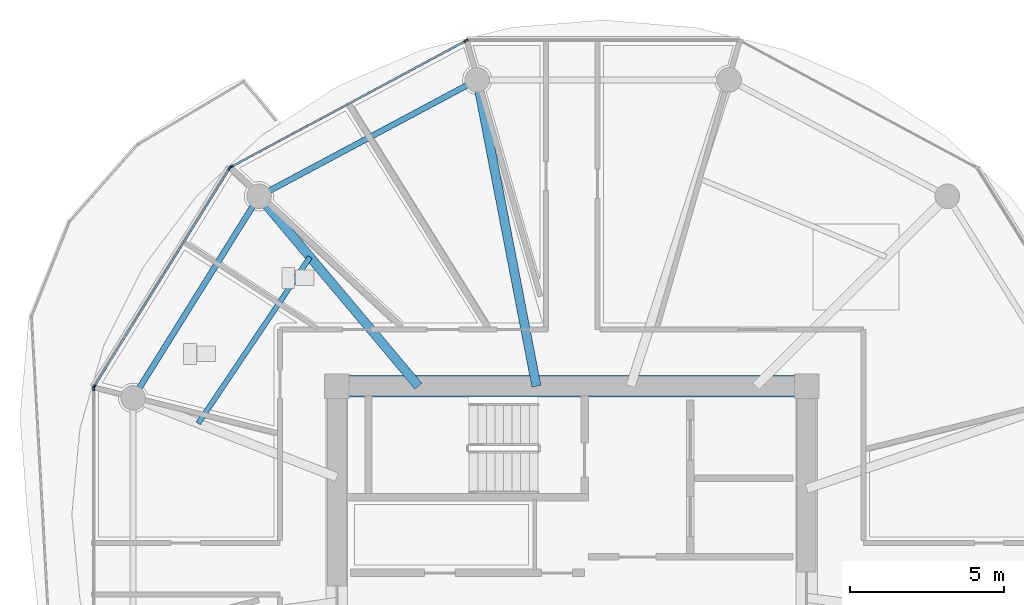
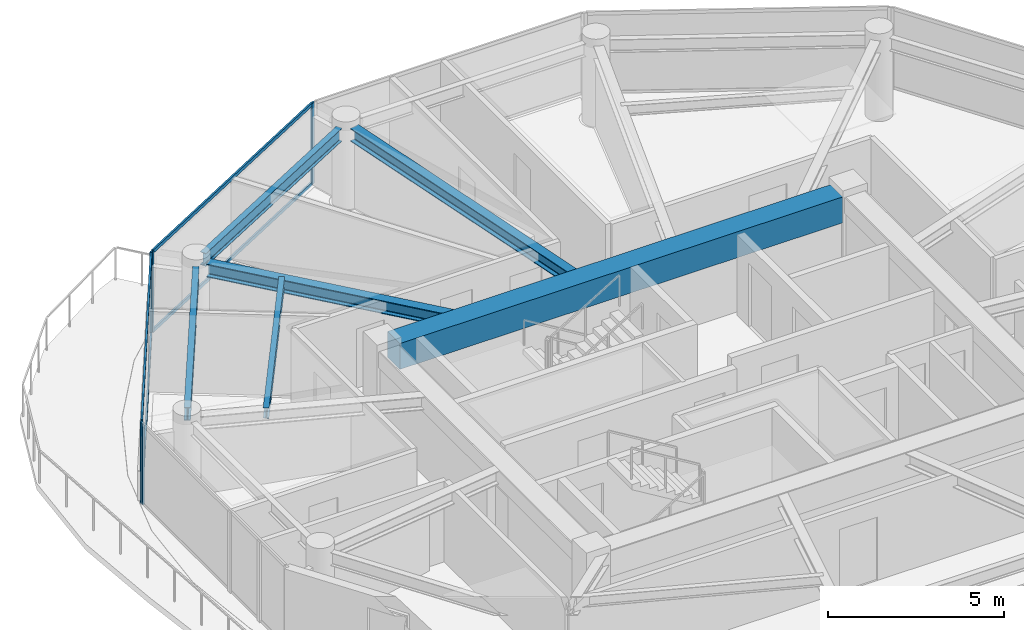
# One storey, part 4 of 25: 9 members, 6 beams, 3 elements without a shape of their own.
"""IFC4 building model written with IfcOpenShell, lengths in metres."""

from ifc_helpers import new_model, si_unit, direction, frame, origin, origin_2d, place, context, subcontext, project, spatial, rectangle, i_section, extrude, source, transform, mapped, material, layer, layer_set, material_profile, profile_set, type_object, type_shapes, element, aggregate, save


model = new_model("IFC4")

# Units and contexts
model_context = context("Model", 3, precision=1e-05, world=origin(), true_north=direction((0.0, 1.0)))
body_context = subcontext(model_context, "Body", "Model", "MODEL_VIEW")
ifc_project = project(units=[si_unit("LENGTHUNIT", "METRE"), si_unit("AREAUNIT", "SQUARE_METRE"), si_unit("VOLUMEUNIT", "CUBIC_METRE"), si_unit("PLANEANGLEUNIT", "RADIAN"), si_unit("MASSUNIT", "GRAM", prefix="KILO")], contexts=[model_context])

# Site, building, storey
site_placement = place(None, origin())
site = spatial("IfcSite", under=ifc_project, at=site_placement, CompositionType="ELEMENT")
building_placement = place(site_placement, origin())
building = spatial("IfcBuilding", under=site, at=building_placement, Name="Norrkilde Senior Care Towers", CompositionType="ELEMENT")
storey_placement = place(building_placement, frame((0.0, 0.0, 161.75)))
storey = spatial("IfcBuildingStorey", under=building, at=storey_placement, Name="L50", CompositionType="ELEMENT", Elevation=161.75)

# Beams
ifc_material_1 = material(Name="Concrete C60/75", Category="concrete")
ifc_material_profile_1 = material_profile(ifc_material_1, rectangle(XDim=0.699951171875, YDim=0.89990234375, at=origin_2d()), Name="RC BM 700x900")
ifc_profile_set_1 = profile_set([ifc_material_profile_1], Name="Concrete C60/75")
beam_type_1 = type_object("IfcBeamType", Name="Core Coupling Girder 700x900", PredefinedType="USERDEFINED", material=ifc_profile_set_1)
shared_shape_1 = source(origin(), body_context, "Body", "SweptSolid", [
    extrude(rectangle(XDim=0.699951171875, YDim=0.89990234375, at=origin_2d()), origin(), (0.0, 0.0, 1.0), 14.5400390625),
])
type_shapes(beam_type_1, [shared_shape_1])
beam_1_placement = place(storey_placement, frame((-35.27001953125, 5.949951171875, 2.360107421875), z_axis=(1.0, 0.0, 0.0), x_axis=(0.0, 1.0, 0.0)))
element("IfcBeam", 1, at=beam_1_placement, inside=storey, type_object=beam_type_1, Name="L50 Core W N Coupling Girder", ObjectType="GIRDER", PredefinedType="USERDEFINED", context=body_context, shape_type="MappedRepresentation", body=[
    mapped(shared_shape_1, transform((0.0, 0.0, 0.0), x_axis=(1.0, 0.0, 0.0), y_axis=(0.0, 1.0, 0.0), z_axis=(0.0, 0.0, 1.0), scale=1.0)),
])
ifc_material_2 = material(Name="Steel S355", Category="steel")
ifc_material_profile_2 = material_profile(ifc_material_2, i_section(OverallWidth=0.18994140625, OverallDepth=0.449951171875, WebThickness=0.009521484375, FlangeThickness=0.0146484375, FilletRadius=0.02099609375, at=origin_2d()), Name="IPE 450")
ifc_profile_set_2 = profile_set([ifc_material_profile_2], Name="Steel S355")
beam_type_2 = type_object("IfcBeamType", Name="Perimeter Ring Spandrel Z3 IPE450", PredefinedType="SPANDREL", material=ifc_profile_set_2)
shared_shape_2 = source(origin(), body_context, "Body", "SweptSolid", [
    extrude(i_section(OverallWidth=0.18994140625, OverallDepth=0.449951171875, WebThickness=0.009521484375, FlangeThickness=0.0146484375, FilletRadius=0.02099609375, at=origin_2d()), origin(), (0.0, 0.0, 1.0), 7.0234375),
])
beam_2_placement = place(storey_placement, frame((-38.373291015625, 11.8291015625, 2.5849609375), z_axis=(-0.529789577822, -0.848129119433, 0.0), x_axis=(0.848129119433, -0.529789577822, 0.0)))
element("IfcBeam", 2, at=beam_2_placement, inside=storey, type_object=beam_type_2, Name="L50 Drum W Perimeter Spandrel 05", PredefinedType="SPANDREL", context=body_context, shape_type="MappedRepresentation", body=[
    mapped(shared_shape_2, transform((0.0, 0.0, 0.0), x_axis=(1.0, 0.0, 0.0), y_axis=(0.0, 1.0, 0.0), z_axis=(0.0, 0.0, 1.0), scale=1.0)),
])
shared_shape_3 = source(origin(), body_context, "Body", "SweptSolid", [
    extrude(i_section(OverallWidth=0.18994140625, OverallDepth=0.449951171875, WebThickness=0.009521484375, FlangeThickness=0.0146484375, FilletRadius=0.02099609375, at=origin_2d()), origin(), (0.0, 0.0, 1.0), 7.333740234375),
])
type_shapes(beam_type_2, [shared_shape_2, shared_shape_3])
beam_3_placement = place(storey_placement, frame((-31.394775390625, 15.756591796875, 2.5849609375), z_axis=(-0.882247866069, -0.470785198172, 0.0), x_axis=(0.470785198172, -0.882247866069, 0.0)))
element("IfcBeam", 3, at=beam_3_placement, inside=storey, type_object=beam_type_2, Name="L50 Drum W Perimeter Spandrel 04", PredefinedType="SPANDREL", context=body_context, shape_type="MappedRepresentation", body=[
    mapped(shared_shape_3, transform((0.0, 0.0, 0.0), x_axis=(1.0, 0.0, 0.0), y_axis=(0.0, 1.0, 0.0), z_axis=(0.0, 0.0, 1.0), scale=1.0)),
])
ifc_material_profile_3 = material_profile(ifc_material_2, i_section(OverallWidth=0.300048828125, OverallDepth=0.449951171875, WebThickness=0.013916015625, FlangeThickness=0.02587890625, FilletRadius=0.027099609375, at=origin_2d()), Name="HEB 450")
ifc_profile_set_3 = profile_set([ifc_material_profile_3], Name="Steel S355")
beam_type_3 = type_object("IfcBeamType", Name="Radial Floor Beam Z3 HEB450", PredefinedType="BEAM", material=ifc_profile_set_3)
shared_shape_4 = source(origin(), body_context, "Body", "SweptSolid", [
    extrude(i_section(OverallWidth=0.300048828125, OverallDepth=0.449951171875, WebThickness=0.013916015625, FlangeThickness=0.02587890625, FilletRadius=0.027099609375, at=origin_2d()), origin(), (0.0, 0.0, 1.0), 9.80078125),
])
beam_4_placement = place(storey_placement, frame((-29.149658203125, 5.949951171875, 2.5849609375), z_axis=(-0.189716727661, 0.98183886827, 0.0), x_axis=(-0.98183886827, -0.189716727661, 0.0)))
element("IfcBeam", 4, at=beam_4_placement, inside=storey, type_object=beam_type_3, Name="L50 Drum W Radial Floor Beam 04", PredefinedType="BEAM", context=body_context, shape_type="MappedRepresentation", body=[
    mapped(shared_shape_4, transform((0.0, 0.0, 0.0), x_axis=(1.0, 0.0, 0.0), y_axis=(0.0, 1.0, 0.0), z_axis=(0.0, 0.0, 1.0), scale=1.0)),
])
shared_shape_5 = source(origin(), body_context, "Body", "SweptSolid", [
    extrude(i_section(OverallWidth=0.300048828125, OverallDepth=0.449951171875, WebThickness=0.013916015625, FlangeThickness=0.02587890625, FilletRadius=0.027099609375, at=origin_2d()), origin(), (0.0, 0.0, 1.0), 7.71337890625),
])
type_shapes(beam_type_3, [shared_shape_4, shared_shape_5])
beam_5_placement = place(storey_placement, frame((-32.992919921875, 5.949951171875, 2.5849609375), z_axis=(-0.642808239864, 0.766027131872, 0.0), x_axis=(-0.766027131872, -0.642808239864, 0.0)))
element("IfcBeam", 5, at=beam_5_placement, inside=storey, type_object=beam_type_3, Name="L50 Drum W Radial Floor Beam 05", PredefinedType="BEAM", context=body_context, shape_type="MappedRepresentation", body=[
    mapped(shared_shape_5, transform((0.0, 0.0, 0.0), x_axis=(1.0, 0.0, 0.0), y_axis=(0.0, 1.0, 0.0), z_axis=(0.0, 0.0, 1.0), scale=1.0)),
])
ifc_material_profile_4 = material_profile(ifc_material_2, i_section(OverallWidth=0.169921875, OverallDepth=0.360107421875, WebThickness=0.008056640625, FlangeThickness=0.0126953125, FilletRadius=0.01806640625, at=origin_2d()), Name="IPE 360")
ifc_profile_set_4 = profile_set([ifc_material_profile_4], Name="Steel S355")
beam_type_4 = type_object("IfcBeamType", Name="Secondary Floor Joist IPE360", PredefinedType="JOIST", material=ifc_profile_set_4)
shared_shape_6 = source(origin(), body_context, "Body", "SweptSolid", [
    extrude(i_section(OverallWidth=0.169921875, OverallDepth=0.360107421875, WebThickness=0.008056640625, FlangeThickness=0.0126953125, FilletRadius=0.01806640625, at=origin_2d()), origin(), (0.0, 0.0, 1.0), 6.525390625),
])
type_shapes(beam_type_4, [shared_shape_6])
beam_6_placement = place(storey_placement, frame((-36.52197265625, 10.155517578125, 2.6298828125), z_axis=(-0.55779590102, -0.829978152005, 0.0), x_axis=(0.829978152005, -0.55779590102, 0.0)))
element("IfcBeam", 6, at=beam_6_placement, inside=storey, type_object=beam_type_4, Name="L50 Drum W Secondary Floor Joist 2", PredefinedType="JOIST", context=body_context, shape_type="MappedRepresentation", body=[
    mapped(shared_shape_6, transform((0.0, 0.0, 0.0), x_axis=(1.0, 0.0, 0.0), y_axis=(0.0, 1.0, 0.0), z_axis=(0.0, 0.0, 1.0), scale=1.0)),
])

# Curtain wall, members
ifc_material_3 = material(Name="Triple Low-E Insulated Glazing", Category="glass")
ifc_layer = layer(ifc_material_3, 0.18994140625)
ifc_layer_set = layer_set([ifc_layer], Name="Triple Low-E Insulated Glazing")
curtain_wall_type = type_object("IfcCurtainWallType", Name="CW4 Zone 3 Senior Residence Curtain Wall", PredefinedType="NOTDEFINED", material=ifc_layer_set)
curtain_wall_1_placement = place(storey_placement, origin())
curtain_wall_1 = element("IfcCurtainWall", 7, at=curtain_wall_1_placement, inside=storey, type_object=curtain_wall_type, Name="L50 Drum W Curtain Wall 03", PredefinedType="NOTDEFINED")
ifc_material_4 = material(Name="Anodised Aluminium", Category="aluminium")
ifc_material_profile_5 = material_profile(ifc_material_4, rectangle(XDim=0.06494140625, YDim=0.14990234375, at=origin_2d()), Name="ALU MULL 65x150")
ifc_profile_set_5 = profile_set([ifc_material_profile_5], Name="Anodised Aluminium")
member_type_1 = type_object("IfcMemberType", Name="Curtain Wall Mullion Z3-Z4 65x150", PredefinedType="MULLION", material=ifc_profile_set_5)
shared_shape_7 = source(origin(), body_context, "Body", "SweptSolid", [
    extrude(rectangle(XDim=0.06494140625, YDim=0.14990234375, at=origin_2d()), origin(), (0.0, 0.0, 1.0), 2.81005859375),
])
type_shapes(member_type_1, [shared_shape_7])
member_1_placement = place(storey_placement, frame((-39.094482421875, 13.09033203125, 0.0), z_axis=(0.0, 0.0, 1.0), x_axis=(-0.47311715104, 0.880999524059, 0.0)))
member_1 = element("IfcMember", 8, at=member_1_placement, type_object=member_type_1, Name="CW-4 mullion 1", PredefinedType="MULLION", context=body_context, shape_type="MappedRepresentation", body=[
    mapped(shared_shape_7, transform((0.0, 0.0, 0.0), x_axis=(1.0, 0.0, 0.0), y_axis=(0.0, 1.0, 0.0), z_axis=(0.0, 0.0, 1.0), scale=1.0)),
])
member_2_placement = place(storey_placement, frame((-31.4501953125, 17.195556640625, 0.0), z_axis=(0.0, 0.0, 1.0), x_axis=(-0.47311715104, 0.880999524059, 0.0)))
member_2 = element("IfcMember", 9, at=member_2_placement, type_object=member_type_1, Name="CW-4 mullion 2", PredefinedType="MULLION", context=body_context, shape_type="MappedRepresentation", body=[
    mapped(shared_shape_7, transform((0.0, 0.0, 0.0), x_axis=(1.0, 0.0, 0.0), y_axis=(0.0, 1.0, 0.0), z_axis=(0.0, 0.0, 1.0), scale=1.0)),
])

curtain_wall_2_placement = place(storey_placement, origin())
curtain_wall_2 = element("IfcCurtainWall", 10, at=curtain_wall_2_placement, inside=storey, type_object=curtain_wall_type, Name="L50 Drum W Curtain Wall 04", PredefinedType="NOTDEFINED")
member_3_placement = place(storey_placement, frame((-43.552490234375, 5.93896484375, 0.0), z_axis=(0.0, 0.0, 1.0), x_axis=(-0.84963405474, 0.52737270789, 0.0)))
member_3 = element("IfcMember", 11, at=member_3_placement, type_object=member_type_1, Name="CW-4 mullion 1", PredefinedType="MULLION", context=body_context, shape_type="MappedRepresentation", body=[
    mapped(shared_shape_7, transform((0.0, 0.0, 0.0), x_axis=(1.0, 0.0, 0.0), y_axis=(0.0, 1.0, 0.0), z_axis=(0.0, 0.0, 1.0), scale=1.0)),
])
member_4_placement = place(storey_placement, frame((-39.14013671875, 13.04736328125, 0.0), z_axis=(0.0, 0.0, 1.0), x_axis=(-0.84963405474, 0.52737270789, 0.0)))
member_4 = element("IfcMember", 12, at=member_4_placement, type_object=member_type_1, Name="CW-4 mullion 2", PredefinedType="MULLION", context=body_context, shape_type="MappedRepresentation", body=[
    mapped(shared_shape_7, transform((0.0, 0.0, 0.0), x_axis=(1.0, 0.0, 0.0), y_axis=(0.0, 1.0, 0.0), z_axis=(0.0, 0.0, 1.0), scale=1.0)),
])

# Curtain wall, member
curtain_wall_3_placement = place(storey_placement, origin())
curtain_wall_3 = element("IfcCurtainWall", 13, at=curtain_wall_3_placement, inside=storey, type_object=curtain_wall_type, Name="L50 Drum W Curtain Wall 05", PredefinedType="NOTDEFINED")
member_5_placement = place(storey_placement, frame((-43.569580078125, 5.878662109375, 0.0), z_axis=(0.0, 0.0, 1.0), x_axis=(-1.0, 0.0, 0.0)))
member_5 = element("IfcMember", 14, at=member_5_placement, type_object=member_type_1, Name="CW-4 mullion 2", PredefinedType="MULLION", context=body_context, shape_type="MappedRepresentation", body=[
    mapped(shared_shape_7, transform((0.0, 0.0, 0.0), x_axis=(1.0, 0.0, 0.0), y_axis=(0.0, 1.0, 0.0), z_axis=(0.0, 0.0, 1.0), scale=1.0)),
])
aggregate(curtain_wall_3, [member_5])

# Member
ifc_material_profile_6 = material_profile(ifc_material_4, rectangle(XDim=0.06005859375, YDim=0.1201171875, at=origin_2d()), Name="ALU TRAN 60x120")
ifc_profile_set_6 = profile_set([ifc_material_profile_6], Name="Anodised Aluminium")
member_type_2 = type_object("IfcMemberType", Name="Curtain Wall Transom Typical 60x120", PredefinedType="USERDEFINED", material=ifc_profile_set_6)
shared_shape_8 = source(origin(), body_context, "Body", "SweptSolid", [
    extrude(rectangle(XDim=0.06005859375, YDim=0.1201171875, at=origin_2d()), origin(), (0.0, 0.0, 1.0), 8.301513671875),
])
member_6_placement = place(storey_placement, frame((-43.535400390625, 5.966552734375, 0.030029296875), z_axis=(0.527368718394, 0.849636531029, 0.0), x_axis=(-0.849636531029, 0.527368718394, 0.0)))
member_6 = element("IfcMember", 15, at=member_6_placement, type_object=member_type_2, Name="CW-4 transom 1.1", ObjectType="TRANSOM", PredefinedType="USERDEFINED", context=body_context, shape_type="MappedRepresentation", body=[
    mapped(shared_shape_8, transform((0.0, 0.0, 0.0), x_axis=(1.0, 0.0, 0.0), y_axis=(0.0, 1.0, 0.0), z_axis=(0.0, 0.0, 1.0), scale=1.0)),
])

member_7_placement = place(storey_placement, frame((-43.535400390625, 5.966552734375, 2.780029296875), z_axis=(0.527368718394, 0.849636531029, 0.0), x_axis=(-0.849636531029, 0.527368718394, 0.0)))
member_7 = element("IfcMember", 16, at=member_7_placement, type_object=member_type_2, Name="CW-4 transom 1.2", ObjectType="TRANSOM", PredefinedType="USERDEFINED", context=body_context, shape_type="MappedRepresentation", body=[
    mapped(shared_shape_8, transform((0.0, 0.0, 0.0), x_axis=(1.0, 0.0, 0.0), y_axis=(0.0, 1.0, 0.0), z_axis=(0.0, 0.0, 1.0), scale=1.0)),
])

aggregate(curtain_wall_2, [member_3, member_4, member_6, member_7])

shared_shape_9 = source(origin(), body_context, "Body", "SweptSolid", [
    extrude(rectangle(XDim=0.06005859375, YDim=0.1201171875, at=origin_2d()), origin(), (0.0, 0.0, 1.0), 8.612060546875),
])
type_shapes(member_type_2, [shared_shape_8, shared_shape_9])
member_8_placement = place(storey_placement, frame((-39.06591796875, 13.105712890625, 0.030029296875), z_axis=(0.881000337462, 0.473115636384, 0.0), x_axis=(-0.473115636384, 0.881000337462, 0.0)))
member_8 = element("IfcMember", 17, at=member_8_placement, type_object=member_type_2, Name="CW-4 transom 1.1", ObjectType="TRANSOM", PredefinedType="USERDEFINED", context=body_context, shape_type="MappedRepresentation", body=[
    mapped(shared_shape_9, transform((0.0, 0.0, 0.0), x_axis=(1.0, 0.0, 0.0), y_axis=(0.0, 1.0, 0.0), z_axis=(0.0, 0.0, 1.0), scale=1.0)),
])

member_9_placement = place(storey_placement, frame((-39.06591796875, 13.105712890625, 2.780029296875), z_axis=(0.881000337462, 0.473115636384, 0.0), x_axis=(-0.473115636384, 0.881000337462, 0.0)))
member_9 = element("IfcMember", 18, at=member_9_placement, type_object=member_type_2, Name="CW-4 transom 1.2", ObjectType="TRANSOM", PredefinedType="USERDEFINED", context=body_context, shape_type="MappedRepresentation", body=[
    mapped(shared_shape_9, transform((0.0, 0.0, 0.0), x_axis=(1.0, 0.0, 0.0), y_axis=(0.0, 1.0, 0.0), z_axis=(0.0, 0.0, 1.0), scale=1.0)),
])

aggregate(curtain_wall_1, [member_1, member_2, member_8, member_9])

save(model, "model.ifc")
